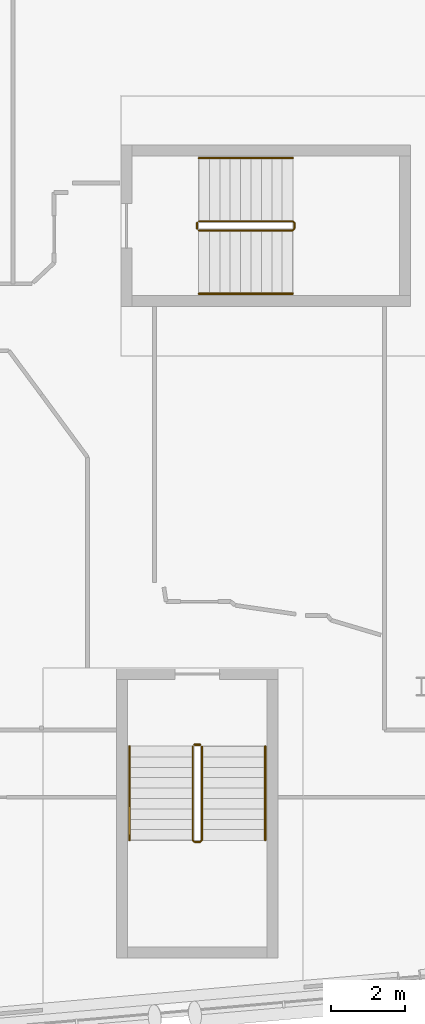
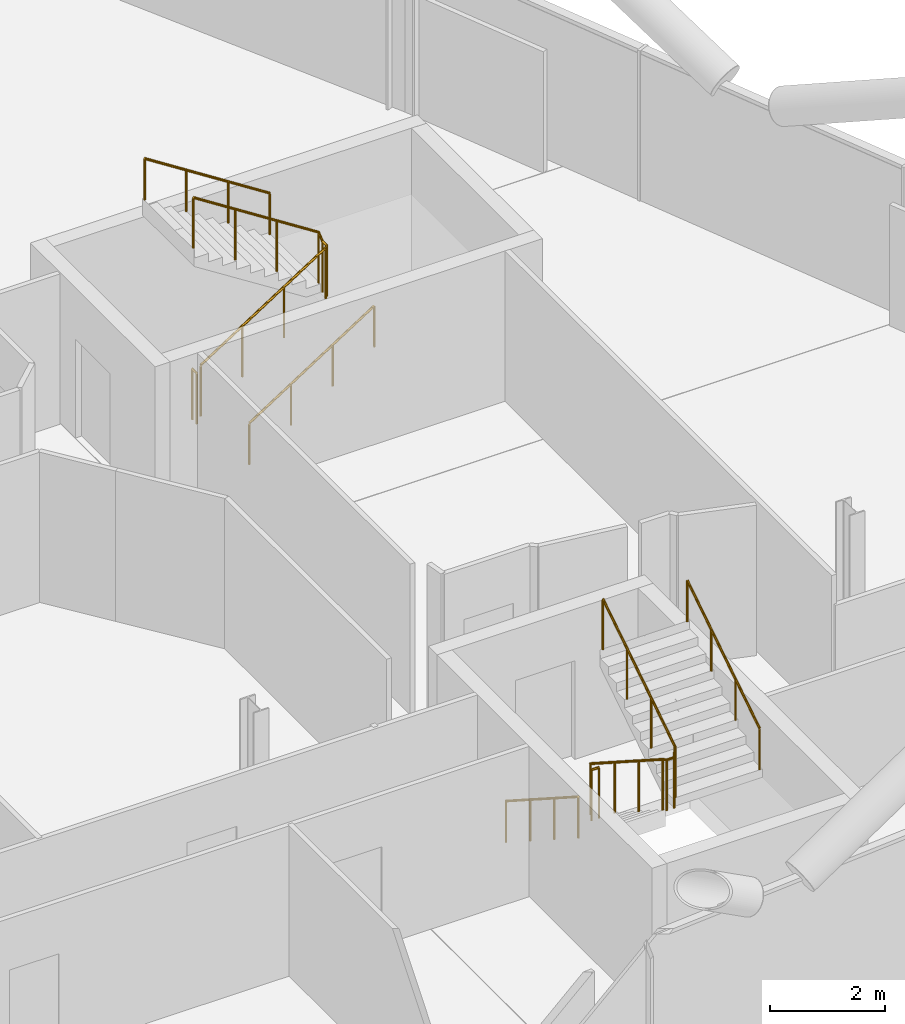
# One storey, part 26 of 27: 8 railings.
"""IFC4 building model written with IfcOpenShell, lengths in metres."""

import ifcopenshell
import ifcopenshell.guid

model = None  # the IFC model being written
_history = None  # IfcOwnerHistory: only IFC2X3 demands one
_inside = {}  # id of a spatial element -> (the spatial element, [elements in it])
_under = {}  # id of a project, library or spatial element -> (it, [spatial elements below it])
_declared = {}  # id of a project -> (the project, [libraries it declares])
_typed = {}  # id of a type object -> (the type object, [elements of that type])
_made_of = {}  # id of a material, layer set ... -> (it, [elements and type objects made of it])


def new_model(schema):
    """Start an empty IFC model of exactly this schema.

    Asked for "IFC4X3", IfcOpenShell would pick the latest addendum, in which some entities
    have other attributes; the version numbers below select the first issue.
    IFC2X3 requires an IfcOwnerHistory on every rooted entity: one is made here for all.
    """
    global model, _history
    if schema == "IFC4X3":
        model = ifcopenshell.file(schema_version=(4, 3, 0, 0))
    else:
        model = ifcopenshell.file(schema=schema)
    _inside.clear()
    _under.clear()
    _declared.clear()
    _typed.clear()
    _made_of.clear()
    _history = None
    if model.schema == "IFC2X3":
        org = make("IfcOrganization", Name="unknown")
        user = make(
            "IfcPersonAndOrganization",
            ThePerson=make("IfcPerson", FamilyName="unknown"),
            TheOrganization=org,
        )
        app = make(
            "IfcApplication",
            ApplicationDeveloper=org,
            Version="unknown",
            ApplicationFullName="unknown",
            ApplicationIdentifier="unknown",
        )
        _history = make(
            "IfcOwnerHistory",
            OwningUser=user,
            OwningApplication=app,
            ChangeAction="ADDED",
            CreationDate=0,
        )
    return model


def make(cls, **values):
    """One entity of the class cls with the attributes given. An attribute that is None is left unset."""
    return model.create_entity(
        cls, **{name: value for name, value in values.items() if value is not None}
    )


def rooted(cls, **values):
    """An entity with a GlobalId (a new one), such as an element, a storey or a relation."""
    return make(cls, GlobalId=ifcopenshell.guid.new(), OwnerHistory=_history, **values)


def si_unit(unit_type, name, prefix=None):
    """IfcSIUnit, for example si_unit("LENGTHUNIT", "METRE", prefix="MILLI")."""
    return make("IfcSIUnit", UnitType=unit_type, Prefix=prefix, Name=name)


def assignment(units):
    """IfcUnitAssignment: the units of a project."""
    return None if units is None else make("IfcUnitAssignment", Units=units)


def point(xyz):
    """IfcCartesianPoint."""
    return None if xyz is None else make("IfcCartesianPoint", Coordinates=xyz)


def direction(xyz):
    """IfcDirection."""
    return None if xyz is None else make("IfcDirection", DirectionRatios=xyz)


def frame(location, z_axis=None, x_axis=None):
    """IfcAxis2Placement3D, a coordinate frame: its origin and axes. An axis left out is left unset."""
    return make(
        "IfcAxis2Placement3D",
        Location=point(location),
        Axis=direction(z_axis),
        RefDirection=direction(x_axis),
    )


def frame_2d(location, x_axis=None):
    """IfcAxis2Placement2D, a coordinate frame in the plane: its origin and x axis."""
    return make(
        "IfcAxis2Placement2D", Location=point(location), RefDirection=direction(x_axis)
    )


def origin():
    """The frame at (0, 0, 0) with its axes left unset."""
    return frame((0.0, 0.0, 0.0))


def origin_2d():
    """The frame at (0, 0) in the plane with its x axis left unset."""
    return frame_2d((0.0, 0.0))


def place(relative_to, where):
    """IfcLocalPlacement: puts the frame where relative to a parent placement (None: the world)."""
    return make(
        "IfcLocalPlacement", PlacementRelTo=relative_to, RelativePlacement=where
    )


def context(
    kind, dimensions, precision=None, world=None, true_north=None, identifier=None
):
    """IfcGeometricRepresentationContext, for example the 3D "Model" context."""
    return make(
        "IfcGeometricRepresentationContext",
        ContextIdentifier=identifier,
        ContextType=kind,
        CoordinateSpaceDimension=dimensions,
        Precision=precision,
        WorldCoordinateSystem=world,
        TrueNorth=true_north,
    )


def subcontext(parent, identifier, kind, view, scale=None):
    """IfcGeometricRepresentationSubContext, for example "Body" below "Model"."""
    return make(
        "IfcGeometricRepresentationSubContext",
        ContextIdentifier=identifier,
        ContextType=kind,
        ParentContext=parent,
        TargetScale=scale,
        TargetView=view,
    )


def project(units=None, contexts=None):
    """IfcProject with its units and contexts."""
    return rooted(
        "IfcProject",
        Name="project",
        RepresentationContexts=contexts,
        UnitsInContext=assignment(units),
    )


def spatial(cls, under=None, at=None, **own):
    """A site, building, storey or space (cls), placed at a placement, below another one or the project."""
    s = rooted(cls, ObjectPlacement=at, **own)
    if under is not None:
        _under.setdefault(under.id(), (under, []))[1].append(s)
    return s


def profile(cls, at=None, kind="AREA", **sizes):
    """A parametric profile (cls). Its sizes go by their IFC names, for example OverallWidth=200.0."""
    return make(cls, ProfileType=kind, Position=at, **sizes)


def circle(**sizes):
    """IfcCircleProfileDef."""
    return profile("IfcCircleProfileDef", **sizes)


def extrude(swept, where, along, depth):
    """IfcExtrudedAreaSolid: the profile swept, set in the frame where, extruded along a direction by depth."""
    return make(
        "IfcExtrudedAreaSolid",
        SweptArea=swept,
        Position=where,
        ExtrudedDirection=direction(along),
        Depth=depth,
    )


def shape(context_of_items, identifier, shape_type, items):
    """IfcShapeRepresentation: the items that make up one representation, for example the "Body"."""
    return make(
        "IfcShapeRepresentation",
        ContextOfItems=context_of_items,
        RepresentationIdentifier=identifier,
        RepresentationType=shape_type,
        Items=items,
    )


def material(Name=None, Category=None):
    """IfcMaterial."""
    return make("IfcMaterial", Name=Name, Category=Category)


def made_of(thing, what):
    """Note that an element or type object is made of a material, layer set ...; save() writes the relation."""
    if what is not None:
        _made_of.setdefault(what.id(), (what, []))[1].append(thing)
    return thing


def type_object(cls, material=None, **own):
    """A type object (cls), such as IfcWallType, which elements share."""
    return made_of(rooted(cls, **own), material)


def element(
    cls,
    number,
    at=None,
    inside=None,
    cuts=None,
    type_object=None,
    material=None,
    context=None,
    identifier="Body",
    shape_type=None,
    held_by="IfcProductDefinitionShape",
    body=None,
    shapes=None,
    **own,
):
    """One element of the class cls, such as IfcWall. Its Tag is "e" and its number.

    at: its placement. inside: the storey or other place that contains it. cuts: it is an
    opening in that element (IfcRelVoidsElement). A single representation is given by context,
    identifier, shape_type and body (its items); several are given by shapes. held_by: the class
    of the entity that holds the representations. save() writes the other relations.
    """
    e = rooted(cls, Tag="e%d" % number, ObjectPlacement=at, **own)
    if body is not None:
        shapes = [shape(context, identifier, shape_type, body)]
    if shapes is not None:
        e.Representation = make(held_by, Representations=shapes)
    if inside is not None:
        _inside.setdefault(inside.id(), (inside, []))[1].append(e)
    if cuts is not None:
        rooted(
            "IfcRelVoidsElement", RelatingBuildingElement=cuts, RelatedOpeningElement=e
        )
    if type_object is not None:
        _typed.setdefault(type_object.id(), (type_object, []))[1].append(e)
    return made_of(e, material)


def aggregate(whole, parts):
    """IfcRelAggregates: a whole, such as a stair, and the parts it consists of."""
    return rooted("IfcRelAggregates", RelatingObject=whole, RelatedObjects=parts)


def save(model, path):
    """Write the relations noted so far, then the file.

    IfcRelAggregates (storeys below a building ...), IfcRelContainedInSpatialStructure (elements
    in a storey), IfcRelDefinesByType, IfcRelAssociatesMaterial and IfcRelDeclares: one each for
    every whole, place, type object, material and project.
    """
    for whole, parts in _under.values():
        aggregate(whole, parts)
    for where, things in _inside.values():
        rooted(
            "IfcRelContainedInSpatialStructure",
            RelatedElements=things,
            RelatingStructure=where,
        )
    for kind, things in _typed.values():
        rooted("IfcRelDefinesByType", RelatedObjects=things, RelatingType=kind)
    for what, things in _made_of.values():
        rooted("IfcRelAssociatesMaterial", RelatedObjects=things, RelatingMaterial=what)
    for by, libraries in _declared.values():
        rooted("IfcRelDeclares", RelatingContext=by, RelatedDefinitions=libraries)
    model.write(path)


model = new_model("IFC4")

# Units and contexts
model_context = context("Model", 3, precision=1e-05, world=origin(), true_north=direction((0.0, 1.0)))
body_context = subcontext(model_context, "Body", "Model", "MODEL_VIEW")
ifc_project = project(units=[si_unit("LENGTHUNIT", "METRE"), si_unit("AREAUNIT", "SQUARE_METRE"), si_unit("VOLUMEUNIT", "CUBIC_METRE"), si_unit("PLANEANGLEUNIT", "RADIAN"), si_unit("MASSUNIT", "GRAM", prefix="KILO")], contexts=[model_context])

# Site, building, storey
site_placement = place(None, origin())
site = spatial("IfcSite", under=ifc_project, at=site_placement, CompositionType="ELEMENT")
building_placement = place(site_placement, origin())
building = spatial("IfcBuilding", under=site, at=building_placement, Name="Wharfspan Tower", CompositionType="ELEMENT")
storey_placement = place(building_placement, frame((0.0, 0.0, 195.100098)))
storey = spatial("IfcBuildingStorey", under=building, at=storey_placement, Name="L48", CompositionType="ELEMENT", Elevation=195.100098)

# Railings
ifc_material = material(Name="Steel S355J2", Category="steel")
railing_type_1 = type_object("IfcRailingType", Name="Stair guard 1100", PredefinedType="GUARDRAIL", material=ifc_material)
railing_1_placement = place(storey_placement, frame((65.836426, 9.883789, 0.179932)))
element("IfcRailing", 1, at=railing_1_placement, inside=storey, type_object=railing_type_1, Name="L48 ST5 stair guard 1", PredefinedType="GUARDRAIL", context=body_context, shape_type="SweptSolid", body=[
    extrude(circle(Radius=0.023926, at=origin_2d()), frame((0.0, 0.0, 1.076172), z_axis=(0.0, -0.8412, 0.540725), x_axis=(1.0, 0.0, 0.0)), (0.0, 0.0, 1.0), 2.99585),
    extrude(circle(Radius=0.023926, at=origin_2d()), frame((0.0, -2.52002, 2.695801), z_axis=(0.705376, -0.708834, 0.0), x_axis=(0.708834, 0.705376, 0.0)), (0.0, 0.0, 1.0), 0.070557),
    extrude(circle(Radius=0.023926, at=origin_2d()), frame((0.049805, -2.570068, 2.695801), z_axis=(1.0, 0.0, 0.0), x_axis=(0.0, 1.0, 0.0)), (0.0, 0.0, 1.0), 0.150146),
    extrude(circle(Radius=0.023926, at=origin_2d()), frame((0.199951, -2.570068, 2.695801), z_axis=(0.258544, 0.258544, 0.930758), x_axis=(-0.707107, 0.707107, 0.0)), (0.0, 0.0, 1.0), 0.193604),
    extrude(circle(Radius=0.023926, at=origin_2d()), frame((0.25, -2.52002, 2.875977), z_axis=(0.0, 0.8412, 0.540725), x_axis=(-1.0, 0.0, 0.0)), (0.0, 0.0, 1.0), 2.99585),
    extrude(circle(Radius=0.020996, at=origin_2d()), origin(), (0.0, 0.0, 1.0), 1.052002),
    extrude(circle(Radius=0.020996, at=origin_2d()), frame((0.0, -0.840088, 0.540039)), (0.0, 0.0, 1.0), 1.052002),
    extrude(circle(Radius=0.020996, at=origin_2d()), frame((0.0, -1.679932, 1.079834)), (0.0, 0.0, 1.0), 1.052002),
    extrude(circle(Radius=0.020996, at=origin_2d()), frame((0.0, -2.52002, 1.619873)), (0.0, 0.0, 1.0), 1.052002),
    extrude(circle(Radius=0.020996, at=origin_2d()), frame((0.049805, -2.570068, 1.619873)), (0.0, 0.0, 1.0), 1.052002),
    extrude(circle(Radius=0.020996, at=origin_2d()), frame((0.199951, -2.570068, 1.619873)), (0.0, 0.0, 1.0), 1.052002),
    extrude(circle(Radius=0.020996, at=origin_2d()), frame((0.25, -2.52002, 1.800049)), (0.0, 0.0, 1.0), 1.052002),
    extrude(circle(Radius=0.020996, at=origin_2d()), frame((0.25, -1.679932, 2.340088)), (0.0, 0.0, 1.0), 1.052002),
    extrude(circle(Radius=0.020996, at=origin_2d()), frame((0.25, -0.840088, 2.879883)), (0.0, 0.0, 1.0), 1.052002),
    extrude(circle(Radius=0.020996, at=origin_2d()), frame((0.25, 0.0, 3.419922)), (0.0, 0.0, 1.0), 1.052002),
])
railing_2_placement = place(storey_placement, frame((65.88623, 9.933594, 0.0)))
element("IfcRailing", 2, at=railing_2_placement, inside=storey, type_object=railing_type_1, Name="L48 ST5 stair guard 2", PredefinedType="GUARDRAIL", context=body_context, shape_type="SweptSolid", body=[
    extrude(circle(Radius=0.023926, at=origin_2d()), frame((0.0, 0.0, 1.076172), z_axis=(1.0, 0.0, 0.0), x_axis=(0.0, 1.0, 0.0)), (0.0, 0.0, 1.0), 0.150146),
    extrude(circle(Radius=0.020996, at=origin_2d()), origin(), (0.0, 0.0, 1.0), 1.052002),
    extrude(circle(Radius=0.020996, at=origin_2d()), frame((0.150146, 0.0, 0.0)), (0.0, 0.0, 1.0), 1.052002),
])
railing_3_placement = place(storey_placement, frame((66.004639, 23.774902, 0.179932)))
element("IfcRailing", 3, at=railing_3_placement, inside=storey, type_object=railing_type_1, Name="L48 ST6 stair guard 1", PredefinedType="GUARDRAIL", context=body_context, shape_type="SweptSolid", body=[
    extrude(circle(Radius=0.023926, at=origin_2d()), frame((0.0, 0.0, 1.076172), z_axis=(0.8412, 0.0, 0.540725), x_axis=(0.0, 1.0, 0.0)), (0.0, 0.0, 1.0), 2.99585),
    extrude(circle(Radius=0.023926, at=origin_2d()), frame((2.52002, 0.0, 2.695801), z_axis=(0.707107, 0.707107, 0.0), x_axis=(-0.707107, 0.707107, 0.0)), (0.0, 0.0, 1.0), 0.070801),
    extrude(circle(Radius=0.023926, at=origin_2d()), frame((2.570068, 0.050049, 2.695801), z_axis=(0.0, 1.0, 0.0), x_axis=(-1.0, 0.0, 0.0)), (0.0, 0.0, 1.0), 0.150146),
    extrude(circle(Radius=0.023926, at=origin_2d()), frame((2.570068, 0.200195, 2.695801), z_axis=(-0.258628, 0.257366, 0.931061), x_axis=(-0.705372, -0.708838, 2e-06)), (0.0, 0.0, 1.0), 0.193604),
    extrude(circle(Radius=0.023926, at=origin_2d()), frame((2.52002, 0.25, 2.875977), z_axis=(-0.8412, 0.0, 0.540725), x_axis=(0.0, -1.0, 0.0)), (0.0, 0.0, 1.0), 2.99585),
    extrude(circle(Radius=0.020996, at=origin_2d()), origin(), (0.0, 0.0, 1.0), 1.052002),
    extrude(circle(Radius=0.020996, at=origin_2d()), frame((0.840088, 0.0, 0.540039)), (0.0, 0.0, 1.0), 1.052002),
    extrude(circle(Radius=0.020996, at=origin_2d()), frame((1.679932, 0.0, 1.079834)), (0.0, 0.0, 1.0), 1.052002),
    extrude(circle(Radius=0.020996, at=origin_2d()), frame((2.52002, 0.0, 1.619873)), (0.0, 0.0, 1.0), 1.052002),
    extrude(circle(Radius=0.020996, at=origin_2d()), frame((2.570068, 0.050049, 1.619873)), (0.0, 0.0, 1.0), 1.052002),
    extrude(circle(Radius=0.020996, at=origin_2d()), frame((2.570068, 0.200195, 1.619873)), (0.0, 0.0, 1.0), 1.052002),
    extrude(circle(Radius=0.020996, at=origin_2d()), frame((2.52002, 0.25, 1.800049)), (0.0, 0.0, 1.0), 1.052002),
    extrude(circle(Radius=0.020996, at=origin_2d()), frame((1.679932, 0.25, 2.340088)), (0.0, 0.0, 1.0), 1.052002),
    extrude(circle(Radius=0.020996, at=origin_2d()), frame((0.840088, 0.25, 2.879883)), (0.0, 0.0, 1.0), 1.052002),
    extrude(circle(Radius=0.020996, at=origin_2d()), frame((0.0, 0.25, 3.419922)), (0.0, 0.0, 1.0), 1.052002),
])
railing_4_placement = place(storey_placement, frame((65.95459, 23.824951, 0.0)))
element("IfcRailing", 4, at=railing_4_placement, inside=storey, type_object=railing_type_1, Name="L48 ST6 stair guard 2", PredefinedType="GUARDRAIL", context=body_context, shape_type="SweptSolid", body=[
    extrude(circle(Radius=0.023926, at=origin_2d()), frame((0.0, 0.0, 1.076172), z_axis=(0.0, 1.0, 0.0), x_axis=(-1.0, 0.0, 0.0)), (0.0, 0.0, 1.0), 0.150146),
    extrude(circle(Radius=0.020996, at=origin_2d()), origin(), (0.0, 0.0, 1.0), 1.052002),
    extrude(circle(Radius=0.020996, at=origin_2d()), frame((0.0, 0.150146, 0.0)), (0.0, 0.0, 1.0), 1.052002),
])
railing_type_2 = type_object("IfcRailingType", Name="Stair handrail 900", PredefinedType="HANDRAIL", material=ifc_material)
railing_5_placement = place(storey_placement, frame((64.13623, 9.883789, 0.179932)))
element("IfcRailing", 5, at=railing_5_placement, inside=storey, type_object=railing_type_2, Name="L48 ST5 stair handrail 1", PredefinedType="HANDRAIL", context=body_context, shape_type="SweptSolid", body=[
    extrude(circle(Radius=0.023926, at=origin_2d()), frame((0.0, 0.0, 0.875977), z_axis=(0.0, -0.8412, 0.540725), x_axis=(1.0, 0.0, 0.0)), (0.0, 0.0, 1.0), 2.99585),
    extrude(circle(Radius=0.020996, at=origin_2d()), origin(), (0.0, 0.0, 1.0), 0.851807),
    extrude(circle(Radius=0.020996, at=origin_2d()), frame((0.0, -0.840088, 0.540039)), (0.0, 0.0, 1.0), 0.851807),
    extrude(circle(Radius=0.020996, at=origin_2d()), frame((0.0, -1.679932, 1.079834)), (0.0, 0.0, 1.0), 0.851807),
    extrude(circle(Radius=0.020996, at=origin_2d()), frame((0.0, -2.52002, 1.619873)), (0.0, 0.0, 1.0), 0.851807),
])
railing_6_placement = place(storey_placement, frame((67.786377, 7.36377, 1.97998)))
element("IfcRailing", 6, at=railing_6_placement, inside=storey, type_object=railing_type_2, Name="L48 ST5 stair handrail 2", PredefinedType="HANDRAIL", context=body_context, shape_type="SweptSolid", body=[
    extrude(circle(Radius=0.023926, at=origin_2d()), frame((0.0, 0.0, 0.875977), z_axis=(0.0, 0.8412, 0.540725), x_axis=(-1.0, 0.0, 0.0)), (0.0, 0.0, 1.0), 2.99585),
    extrude(circle(Radius=0.020996, at=origin_2d()), origin(), (0.0, 0.0, 1.0), 0.851807),
    extrude(circle(Radius=0.020996, at=origin_2d()), frame((0.0, 0.840088, 0.540039)), (0.0, 0.0, 1.0), 0.851807),
    extrude(circle(Radius=0.020996, at=origin_2d()), frame((0.0, 1.679932, 1.079834)), (0.0, 0.0, 1.0), 0.851807),
    extrude(circle(Radius=0.020996, at=origin_2d()), frame((0.0, 2.52002, 1.619873)), (0.0, 0.0, 1.0), 0.851807),
])
railing_7_placement = place(storey_placement, frame((66.004639, 22.074951, 0.179932)))
element("IfcRailing", 7, at=railing_7_placement, inside=storey, type_object=railing_type_2, Name="L48 ST6 stair handrail 1", PredefinedType="HANDRAIL", context=body_context, shape_type="SweptSolid", body=[
    extrude(circle(Radius=0.023926, at=origin_2d()), frame((0.0, 0.0, 0.875977), z_axis=(0.8412, 0.0, 0.540725), x_axis=(0.0, 1.0, 0.0)), (0.0, 0.0, 1.0), 2.99585),
    extrude(circle(Radius=0.020996, at=origin_2d()), origin(), (0.0, 0.0, 1.0), 0.851807),
    extrude(circle(Radius=0.020996, at=origin_2d()), frame((0.840088, 0.0, 0.540039)), (0.0, 0.0, 1.0), 0.851807),
    extrude(circle(Radius=0.020996, at=origin_2d()), frame((1.679932, 0.0, 1.079834)), (0.0, 0.0, 1.0), 0.851807),
    extrude(circle(Radius=0.020996, at=origin_2d()), frame((2.52002, 0.0, 1.619873)), (0.0, 0.0, 1.0), 0.851807),
])
railing_8_placement = place(storey_placement, frame((68.524658, 25.725098, 1.97998)))
element("IfcRailing", 8, at=railing_8_placement, inside=storey, type_object=railing_type_2, Name="L48 ST6 stair handrail 2", PredefinedType="HANDRAIL", context=body_context, shape_type="SweptSolid", body=[
    extrude(circle(Radius=0.023926, at=origin_2d()), frame((0.0, 0.0, 0.875977), z_axis=(-0.8412, 0.0, 0.540725), x_axis=(0.0, -1.0, 0.0)), (0.0, 0.0, 1.0), 2.99585),
    extrude(circle(Radius=0.020996, at=origin_2d()), origin(), (0.0, 0.0, 1.0), 0.851807),
    extrude(circle(Radius=0.020996, at=origin_2d()), frame((-0.840088, 0.0, 0.540039)), (0.0, 0.0, 1.0), 0.851807),
    extrude(circle(Radius=0.020996, at=origin_2d()), frame((-1.679932, 0.0, 1.079834)), (0.0, 0.0, 1.0), 0.851807),
    extrude(circle(Radius=0.020996, at=origin_2d()), frame((-2.52002, 0.0, 1.619873)), (0.0, 0.0, 1.0), 0.851807),
])

save(model, "model.ifc")
